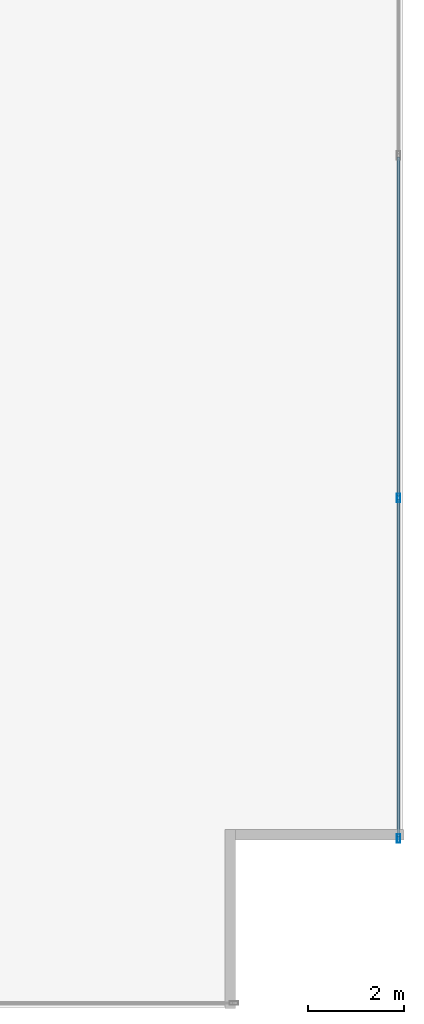
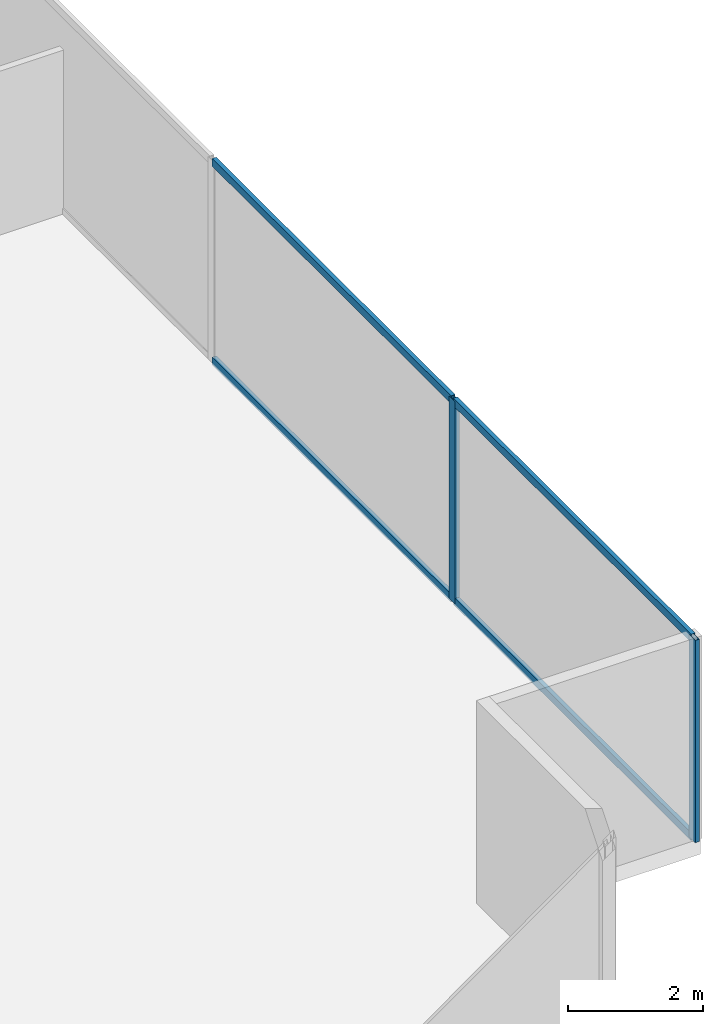
# One storey, part 12 of 28: 6 members, 1 element without a shape of its own.
"""IFC4 building model written with IfcOpenShell, lengths in metres."""

from ifc_helpers import new_model, si_unit, direction, frame, origin, origin_2d, place, context, subcontext, project, spatial, hollow_rectangle, extrude, source, transform, mapped, material, material_profile, profile_set, type_object, type_shapes, element, aggregate, save


model = new_model("IFC4")

# Units and contexts
model_context = context("Model", 3, precision=1e-05, world=origin(), true_north=direction((0.0, 1.0)))
body_context = subcontext(model_context, "Body", "Model", "MODEL_VIEW")
ifc_project = project(units=[si_unit("LENGTHUNIT", "METRE"), si_unit("AREAUNIT", "SQUARE_METRE"), si_unit("VOLUMEUNIT", "CUBIC_METRE"), si_unit("PLANEANGLEUNIT", "RADIAN"), si_unit("MASSUNIT", "GRAM", prefix="KILO")], contexts=[model_context])

# Site, building, storey
site_placement = place(None, origin())
site = spatial("IfcSite", under=ifc_project, at=site_placement, CompositionType="ELEMENT")
building_placement = place(site_placement, origin())
building = spatial("IfcBuilding", under=site, at=building_placement, Name="Krantzveldt Concourse Tower", CompositionType="ELEMENT")
storey_placement = place(building_placement, frame((0.0, 0.0, 32.89990234375)))
storey = spatial("IfcBuildingStorey", under=building, at=storey_placement, Name="L07", CompositionType="ELEMENT", Elevation=32.89990234375)

# Curtain wall, members
ifc_material = material(Name="Anodised aluminium 6063-T6", Category="aluminium")
curtain_wall_type = type_object("IfcCurtainWallType", Name="CW2", PredefinedType="USERDEFINED", material=ifc_material)
curtain_wall_placement = place(storey_placement, origin())
curtain_wall = element("IfcCurtainWall", 1, at=curtain_wall_placement, inside=storey, type_object=curtain_wall_type, Name="CW-L07-F07", ObjectType="UNITISED CURTAIN WALL", PredefinedType="USERDEFINED")
ifc_material_profile_1 = material_profile(ifc_material, hollow_rectangle(XDim=0.070068359375, YDim=0.139892578125, WallThickness=0.0048828125, at=origin_2d()), Name="Anodised aluminium 6063-T6", Category="aluminium")
ifc_profile_set_1 = profile_set([ifc_material_profile_1], Name="Anodised aluminium 6063-T6 - ALU-TRAN 140x70x5")
member_type_1 = type_object("IfcMemberType", Name="CW-TRN-150", PredefinedType="USERDEFINED", material=ifc_profile_set_1)
shared_shape_1 = source(origin(), body_context, "Body", "SweptSolid", [
    extrude(hollow_rectangle(XDim=0.070068359375, YDim=0.139892578125, WallThickness=0.0048828125, at=origin_2d()), origin(), (0.0, 0.0, 1.0), 7.0966796875),
])
member_1_placement = place(storey_placement, frame((60.909912109375, 12.401611328125, 0.03515625), z_axis=(0.0, 1.0, 0.0), x_axis=(-1.0, 0.0, 0.0)))
member_1 = element("IfcMember", 2, at=member_1_placement, type_object=member_type_1, Name="CW-Z12 transom 2.1", ObjectType="TRANSOM", PredefinedType="USERDEFINED", context=body_context, shape_type="MappedRepresentation", body=[
    mapped(shared_shape_1, transform((0.0, 0.0, 0.0), x_axis=(1.0, 0.0, 0.0), y_axis=(0.0, 1.0, 0.0), z_axis=(0.0, 0.0, 1.0), scale=1.0)),
])
member_2_placement = place(storey_placement, frame((60.909912109375, 12.401611328125, 3.635009765625), z_axis=(0.0, 1.0, 0.0), x_axis=(-1.0, 0.0, 0.0)))
member_2 = element("IfcMember", 3, at=member_2_placement, type_object=member_type_1, Name="CW-Z12 transom 2.2", ObjectType="TRANSOM", PredefinedType="USERDEFINED", context=body_context, shape_type="MappedRepresentation", body=[
    mapped(shared_shape_1, transform((0.0, 0.0, 0.0), x_axis=(1.0, 0.0, 0.0), y_axis=(0.0, 1.0, 0.0), z_axis=(0.0, 0.0, 1.0), scale=1.0)),
])
shared_shape_2 = source(origin(), body_context, "Body", "SweptSolid", [
    extrude(hollow_rectangle(XDim=0.070068359375, YDim=0.139892578125, WallThickness=0.0048828125, at=origin_2d()), origin(), (0.0, 0.0, 1.0), 7.061767578125),
])
type_shapes(member_type_1, [shared_shape_1, shared_shape_2])
member_3_placement = place(storey_placement, frame((60.909912109375, 5.27001953125, 0.03515625), z_axis=(0.0, 1.0, 0.0), x_axis=(-1.0, 0.0, 0.0)))
member_3 = element("IfcMember", 4, at=member_3_placement, type_object=member_type_1, Name="CW-Z12 transom 1.1", ObjectType="TRANSOM", PredefinedType="USERDEFINED", context=body_context, shape_type="MappedRepresentation", body=[
    mapped(shared_shape_2, transform((0.0, 0.0, 0.0), x_axis=(1.0, 0.0, 0.0), y_axis=(0.0, 1.0, 0.0), z_axis=(0.0, 0.0, 1.0), scale=1.0)),
])
member_4_placement = place(storey_placement, frame((60.909912109375, 5.27001953125, 3.635009765625), z_axis=(0.0, 1.0, 0.0), x_axis=(-1.0, 0.0, 0.0)))
member_4 = element("IfcMember", 5, at=member_4_placement, type_object=member_type_1, Name="CW-Z12 transom 1.2", ObjectType="TRANSOM", PredefinedType="USERDEFINED", context=body_context, shape_type="MappedRepresentation", body=[
    mapped(shared_shape_2, transform((0.0, 0.0, 0.0), x_axis=(1.0, 0.0, 0.0), y_axis=(0.0, 1.0, 0.0), z_axis=(0.0, 0.0, 1.0), scale=1.0)),
])
ifc_material_profile_2 = material_profile(ifc_material, hollow_rectangle(XDim=0.070068359375, YDim=0.179931640625, WallThickness=0.0048828125, at=origin_2d()), Name="Anodised aluminium 6063-T6", Category="aluminium")
ifc_profile_set_2 = profile_set([ifc_material_profile_2], Name="Anodised aluminium 6063-T6 - ALU-MULL 180x70x5")
member_type_2 = type_object("IfcMemberType", Name="CW-MUL-180", PredefinedType="MULLION", material=ifc_profile_set_2)
shared_shape_3 = source(origin(), body_context, "Body", "SweptSolid", [
    extrude(hollow_rectangle(XDim=0.070068359375, YDim=0.179931640625, WallThickness=0.0048828125, at=origin_2d()), origin(), (0.0, 0.0, 1.0), 3.670166015625),
])
type_shapes(member_type_2, [shared_shape_3])
member_5_placement = place(storey_placement, frame((60.909912109375, 5.235107421875, 0.0), z_axis=(0.0, 0.0, 1.0), x_axis=(-1.0, 0.0, 0.0)))
member_5 = element("IfcMember", 6, at=member_5_placement, type_object=member_type_2, Name="CW-Z12 mullion 1", PredefinedType="MULLION", context=body_context, shape_type="MappedRepresentation", body=[
    mapped(shared_shape_3, transform((0.0, 0.0, 0.0), x_axis=(1.0, 0.0, 0.0), y_axis=(0.0, 1.0, 0.0), z_axis=(0.0, 0.0, 1.0), scale=1.0)),
])
member_6_placement = place(storey_placement, frame((60.909912109375, 12.36669921875, 0.0), z_axis=(0.0, 0.0, 1.0), x_axis=(-1.0, 0.0, 0.0)))
member_6 = element("IfcMember", 7, at=member_6_placement, type_object=member_type_2, Name="CW-Z12 mullion 2", PredefinedType="MULLION", context=body_context, shape_type="MappedRepresentation", body=[
    mapped(shared_shape_3, transform((0.0, 0.0, 0.0), x_axis=(1.0, 0.0, 0.0), y_axis=(0.0, 1.0, 0.0), z_axis=(0.0, 0.0, 1.0), scale=1.0)),
])
aggregate(curtain_wall, [member_5, member_6, member_3, member_4, member_1, member_2])

save(model, "model.ifc")
